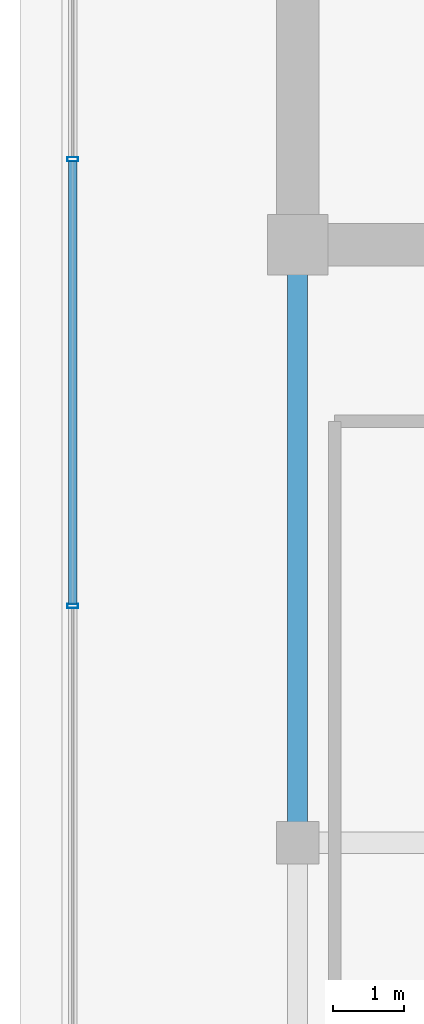
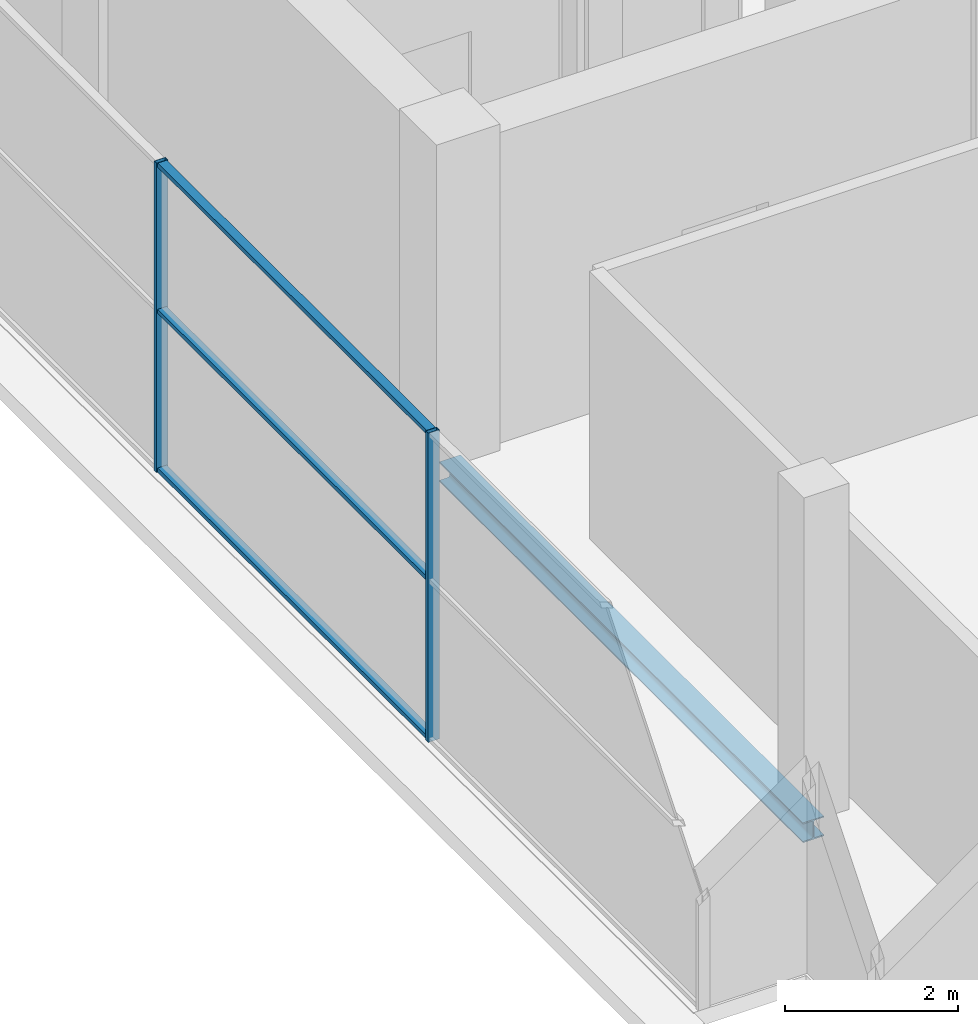
# One storey, part 5 of 27: 5 members, 1 beam, 1 element without a shape of its own.
"""IFC4 building model written with IfcOpenShell, lengths in metres."""

from ifc_helpers import new_model, si_unit, direction, frame, origin, origin_2d, place, context, subcontext, project, spatial, hollow_rectangle, i_section, extrude, source, transform, mapped, material, layer, layer_set, material_profile, profile_set, type_object, element, aggregate, save


model = new_model("IFC4")

# Units and contexts
model_context = context("Model", 3, precision=1e-05, world=origin(), true_north=direction((0.0, 1.0)))
body_context = subcontext(model_context, "Body", "Model", "MODEL_VIEW")
ifc_project = project(units=[si_unit("LENGTHUNIT", "METRE"), si_unit("AREAUNIT", "SQUARE_METRE"), si_unit("VOLUMEUNIT", "CUBIC_METRE"), si_unit("PLANEANGLEUNIT", "RADIAN"), si_unit("MASSUNIT", "GRAM", prefix="KILO")], contexts=[model_context])

# Site, building, storey
site_placement = place(None, origin())
site = spatial("IfcSite", under=ifc_project, at=site_placement, CompositionType="ELEMENT")
building_placement = place(site_placement, origin())
building = spatial("IfcBuilding", under=site, at=building_placement, Name="Zarnakvel Exchange Tower", CompositionType="ELEMENT")
storey_placement = place(building_placement, frame((0.0, 0.0, 294.60009765625)))
storey = spatial("IfcBuildingStorey", under=building, at=storey_placement, Name="Crown L82", CompositionType="ELEMENT", Elevation=294.60009765625)

# Beam
ifc_material_1 = material(Name="Steel S355", Category="steel")
ifc_material_profile_1 = material_profile(ifc_material_1, i_section(OverallWidth=0.280029296875, OverallDepth=0.280029296875, WebThickness=0.010498046875, FlangeThickness=0.01806640625, FilletRadius=0.02392578125, at=origin_2d()))
ifc_profile_set_1 = profile_set([ifc_material_profile_1], Name="Steel S355")
beam_type = type_object("IfcBeamType", Name="SP-04", PredefinedType="SPANDREL", material=ifc_profile_set_1)
beam_placement = place(storey_placement, frame((-14.39990234375, -9.60009765625, -0.360107421875), z_axis=(0.0, 1.0, 0.0), x_axis=(-1.0, 0.0, 0.0)))
element("IfcBeam", 1, at=beam_placement, inside=storey, type_object=beam_type, Name="Crown L82 Tower N-S Frame Beam", PredefinedType="SPANDREL", context=body_context, shape_type="SweptSolid", body=[
    extrude(i_section(OverallWidth=0.280029296875, OverallDepth=0.280029296875, WebThickness=0.010498046875, FlangeThickness=0.01806640625, FilletRadius=0.02392578125, at=origin_2d()), origin(), (0.0, 0.0, 1.0), 8.400146484375),
])

# Curtain wall, members
ifc_material_2 = material(Name="Architectural Bronze Anodised Aluminium", Category="aluminium")
ifc_layer = layer(ifc_material_2, 0.14990234375)
ifc_layer_set = layer_set([ifc_layer], Name="Architectural Bronze Anodised Aluminium")
curtain_wall_type = type_object("IfcCurtainWallType", Name="CW-07", PredefinedType="NOTDEFINED", material=ifc_layer_set)
curtain_wall_placement = place(storey_placement, origin())
curtain_wall = element("IfcCurtainWall", 2, at=curtain_wall_placement, inside=storey, type_object=curtain_wall_type, Name="Crown L82 Curtain Wall CW-Crown L82-W (CW-07)", PredefinedType="NOTDEFINED")
ifc_material_profile_2 = material_profile(ifc_material_2, hollow_rectangle(XDim=0.14990234375, YDim=0.06005859375, WallThickness=0.00390625, at=origin_2d()))
ifc_profile_set_2 = profile_set([ifc_material_profile_2], Name="Architectural Bronze Anodised Aluminium")
member_type_1 = type_object("IfcMemberType", Name="CWM-07", PredefinedType="MULLION", material=ifc_profile_set_2)
shared_shape_1 = source(origin(), body_context, "Body", "SweptSolid", [
    extrude(hollow_rectangle(XDim=0.14990234375, YDim=0.06005859375, WallThickness=0.00390625, at=origin_2d()), origin(), (0.0, 0.0, 1.0), 4.35986328125),
])
member_1_placement = place(storey_placement, frame((-17.56005859375, -6.27490234375, 0.0), z_axis=(0.0, 0.0, 1.0), x_axis=(-1.0, 0.0, 0.0)))
member_1 = element("IfcMember", 3, at=member_1_placement, type_object=member_type_1, Name="CW-07 mullion 2", PredefinedType="MULLION", context=body_context, shape_type="MappedRepresentation", body=[
    mapped(shared_shape_1, transform((0.0, 0.0, 0.0), x_axis=(1.0, 0.0, 0.0), y_axis=(0.0, 1.0, 0.0), z_axis=(0.0, 0.0, 1.0), scale=1.0)),
])
member_2_placement = place(storey_placement, frame((-17.56005859375, 0.0, 0.0), z_axis=(0.0, 0.0, 1.0), x_axis=(-1.0, 0.0, 0.0)))
member_2 = element("IfcMember", 4, at=member_2_placement, type_object=member_type_1, Name="CW-07 mullion 3", PredefinedType="MULLION", context=body_context, shape_type="MappedRepresentation", body=[
    mapped(shared_shape_1, transform((0.0, 0.0, 0.0), x_axis=(1.0, 0.0, 0.0), y_axis=(0.0, 1.0, 0.0), z_axis=(0.0, 0.0, 1.0), scale=1.0)),
])
ifc_material_profile_3 = material_profile(ifc_material_2, hollow_rectangle(XDim=0.1201171875, YDim=0.06005859375, WallThickness=0.00390625, at=origin_2d()))
ifc_profile_set_3 = profile_set([ifc_material_profile_3], Name="Architectural Bronze Anodised Aluminium")
member_type_2 = type_object("IfcMemberType", Name="CWT-07", PredefinedType="USERDEFINED", material=ifc_profile_set_3)
shared_shape_2 = source(origin(), body_context, "Body", "SweptSolid", [
    extrude(hollow_rectangle(XDim=0.1201171875, YDim=0.06005859375, WallThickness=0.00390625, at=origin_2d()), origin(), (0.0, 0.0, 1.0), 6.215087890625),
])
member_3_placement = place(storey_placement, frame((-17.56005859375, -6.2451171875, 0.02978515625), z_axis=(0.0, 1.0, 0.0), x_axis=(-1.0, 0.0, 0.0)))
member_3 = element("IfcMember", 5, at=member_3_placement, type_object=member_type_2, Name="CW-07 transom 2.1", ObjectType="TRANSOM", PredefinedType="USERDEFINED", context=body_context, shape_type="MappedRepresentation", body=[
    mapped(shared_shape_2, transform((0.0, 0.0, 0.0), x_axis=(1.0, 0.0, 0.0), y_axis=(0.0, 1.0, 0.0), z_axis=(0.0, 0.0, 1.0), scale=1.0)),
])
member_4_placement = place(storey_placement, frame((-17.56005859375, -6.2451171875, 2.26708984375), z_axis=(0.0, 1.0, 0.0), x_axis=(-1.0, 0.0, 0.0)))
member_4 = element("IfcMember", 6, at=member_4_placement, type_object=member_type_2, Name="CW-07 transom 2.2", ObjectType="TRANSOM", PredefinedType="USERDEFINED", context=body_context, shape_type="MappedRepresentation", body=[
    mapped(shared_shape_2, transform((0.0, 0.0, 0.0), x_axis=(1.0, 0.0, 0.0), y_axis=(0.0, 1.0, 0.0), z_axis=(0.0, 0.0, 1.0), scale=1.0)),
])
member_5_placement = place(storey_placement, frame((-17.56005859375, -6.2451171875, 4.329833984375), z_axis=(0.0, 1.0, 0.0), x_axis=(-1.0, 0.0, 0.0)))
member_5 = element("IfcMember", 7, at=member_5_placement, type_object=member_type_2, Name="CW-07 transom 2.3", ObjectType="TRANSOM", PredefinedType="USERDEFINED", context=body_context, shape_type="MappedRepresentation", body=[
    mapped(shared_shape_2, transform((0.0, 0.0, 0.0), x_axis=(1.0, 0.0, 0.0), y_axis=(0.0, 1.0, 0.0), z_axis=(0.0, 0.0, 1.0), scale=1.0)),
])
aggregate(curtain_wall, [member_1, member_2, member_3, member_4, member_5])

save(model, "model.ifc")
